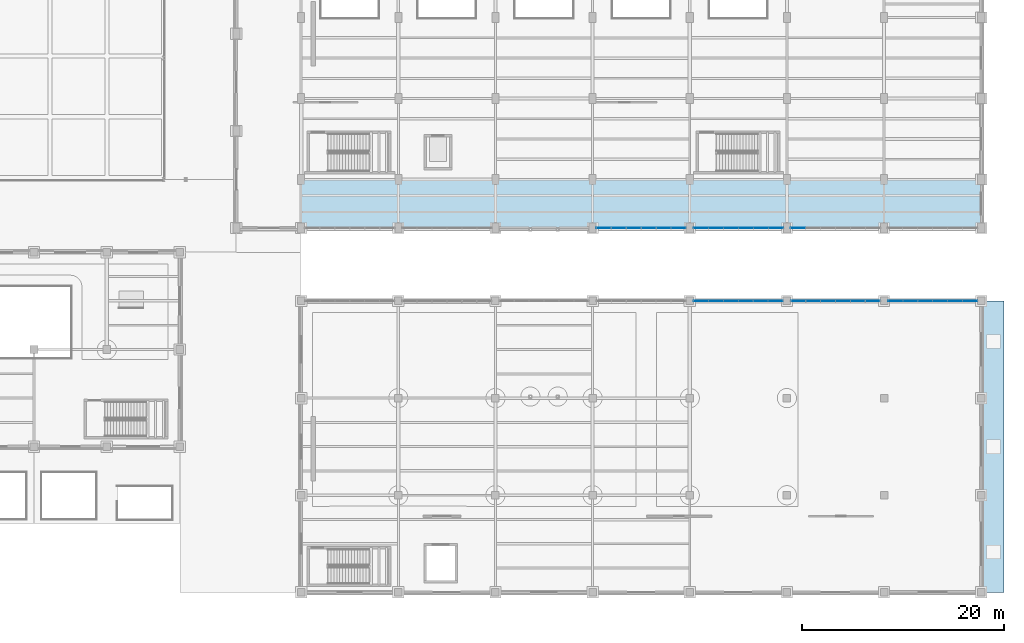
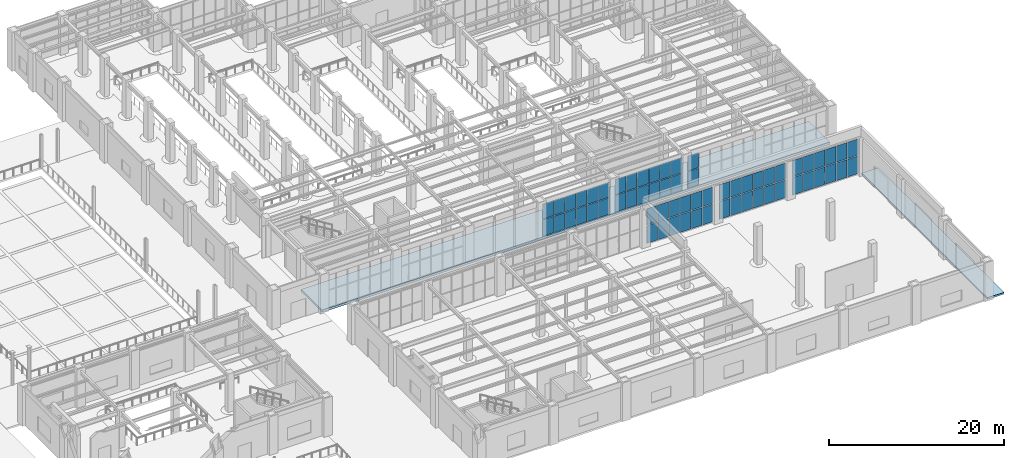
# One storey, part 123 of 164: 62 plates, 2 slabs, 6 elements without a shape of their own.
"""IFC4 building model written with IfcOpenShell, lengths in metres."""

from ifc_helpers import new_model, si_unit, direction, frame, origin, origin_2d, place, context, subcontext, project, spatial, polyline, rectangle, outline, extrude, material, layer, layer_set, type_object, element, aggregate, save


model = new_model("IFC4")

# Units and contexts
model_context = context("Model", 3, precision=1e-05, world=origin(), true_north=direction((0.0, 1.0)))
body_context = subcontext(model_context, "Body", "Model", "MODEL_VIEW")
ifc_project = project(units=[si_unit("LENGTHUNIT", "METRE"), si_unit("AREAUNIT", "SQUARE_METRE"), si_unit("VOLUMEUNIT", "CUBIC_METRE"), si_unit("PLANEANGLEUNIT", "RADIAN"), si_unit("MASSUNIT", "GRAM", prefix="KILO")], contexts=[model_context])

# Site, building, storey
site_placement = place(None, origin())
site = spatial("IfcSite", under=ifc_project, at=site_placement, CompositionType="ELEMENT")
building_placement = place(site_placement, origin())
building = spatial("IfcBuilding", under=site, at=building_placement, Name="Mavantir Sound Aquarium", CompositionType="ELEMENT")
storey_placement = place(building_placement, origin())
storey = spatial("IfcBuildingStorey", under=building, at=storey_placement, Name="L00", CompositionType="ELEMENT", Elevation=0.0)

# Curtain wall, plates
ifc_material_1 = material(Name="Anodised Marine Aluminium and Low-E Glass", Category="aluminium")
curtain_wall_type_1 = type_object("IfcCurtainWallType", Name="CW-T23", PredefinedType="USERDEFINED", material=ifc_material_1)
curtain_wall_1_placement = place(storey_placement, origin())
curtain_wall_1 = element("IfcCurtainWall", 1, at=curtain_wall_1_placement, inside=storey, type_object=curtain_wall_type_1, Name="L00 unitised curtain wall CW-23 23", ObjectType="UNITISED GLAZING", PredefinedType="USERDEFINED")
ifc_material_2 = material(Name="Solar-Control Laminated Low-E Glass", Category="glass")
ifc_layer_1 = layer(ifc_material_2, 0.028076171875, Name="Solar-Control Laminated Low-E Glass")
ifc_layer_set_1 = layer_set([ifc_layer_1], Name="Solar-Control Laminated Low-E Glass")
plate_type_1 = type_object("IfcPlateType", Name="CW-PNL-28", PredefinedType="CURTAIN_PANEL", material=ifc_layer_set_1)
plate_1_placement = place(storey_placement, frame((147.498291015625, 36.0, 0.10302734375), z_axis=(0.0, 0.0, 1.0), x_axis=(1.0, 0.0, 0.0)))
plate_1 = element("IfcPlate", 2, at=plate_1_placement, type_object=plate_type_1, Name="CW-L00-023 glazed curtain panel 1.1", PredefinedType="CURTAIN_PANEL", context=body_context, shape_type="SweptSolid", body=[
    extrude(rectangle(XDim=1.4326171875, YDim=0.028076171875, at=origin_2d()), origin(), (0.0, 0.0, 1.0), 2.3623046875),
])
plate_2_placement = place(storey_placement, frame((147.498291015625, 36.0, 2.56103515625), z_axis=(0.0, 0.0, 1.0), x_axis=(1.0, 0.0, 0.0)))
plate_2 = element("IfcPlate", 3, at=plate_2_placement, type_object=plate_type_1, Name="CW-L00-023 glazed curtain panel 1.2", PredefinedType="CURTAIN_PANEL", context=body_context, shape_type="SweptSolid", body=[
    extrude(rectangle(XDim=1.4326171875, YDim=0.028076171875, at=origin_2d()), origin(), (0.0, 0.0, 1.0), 2.168701171875),
])
plate_3_placement = place(storey_placement, frame((148.97900390625, 36.0, 0.10302734375), z_axis=(0.0, 0.0, 1.0), x_axis=(1.0, 0.0, 0.0)))
plate_3 = element("IfcPlate", 4, at=plate_3_placement, type_object=plate_type_1, Name="CW-L00-023 glazed curtain panel 2.1", PredefinedType="CURTAIN_PANEL", context=body_context, shape_type="SweptSolid", body=[
    extrude(rectangle(XDim=1.4326171875, YDim=0.028076171875, at=origin_2d()), origin(), (0.0, 0.0, 1.0), 2.3623046875),
])
plate_4_placement = place(storey_placement, frame((148.97900390625, 36.0, 2.56103515625), z_axis=(0.0, 0.0, 1.0), x_axis=(1.0, 0.0, 0.0)))
plate_4 = element("IfcPlate", 5, at=plate_4_placement, type_object=plate_type_1, Name="CW-L00-023 glazed curtain panel 2.2", PredefinedType="CURTAIN_PANEL", context=body_context, shape_type="SweptSolid", body=[
    extrude(rectangle(XDim=1.4326171875, YDim=0.028076171875, at=origin_2d()), origin(), (0.0, 0.0, 1.0), 2.168701171875),
])
plate_5_placement = place(storey_placement, frame((150.459716796875, 36.0, 0.10302734375), z_axis=(0.0, 0.0, 1.0), x_axis=(1.0, 0.0, 0.0)))
plate_5 = element("IfcPlate", 6, at=plate_5_placement, type_object=plate_type_1, Name="CW-L00-023 glazed curtain panel 3.1", PredefinedType="CURTAIN_PANEL", context=body_context, shape_type="SweptSolid", body=[
    extrude(rectangle(XDim=1.4326171875, YDim=0.028076171875, at=origin_2d()), origin(), (0.0, 0.0, 1.0), 2.3623046875),
])
plate_6_placement = place(storey_placement, frame((150.459716796875, 36.0, 2.56103515625), z_axis=(0.0, 0.0, 1.0), x_axis=(1.0, 0.0, 0.0)))
plate_6 = element("IfcPlate", 7, at=plate_6_placement, type_object=plate_type_1, Name="CW-L00-023 glazed curtain panel 3.2", PredefinedType="CURTAIN_PANEL", context=body_context, shape_type="SweptSolid", body=[
    extrude(rectangle(XDim=1.4326171875, YDim=0.028076171875, at=origin_2d()), origin(), (0.0, 0.0, 1.0), 2.168701171875),
])
plate_7_placement = place(storey_placement, frame((151.940185546875, 36.0, 0.10302734375), z_axis=(0.0, 0.0, 1.0), x_axis=(1.0, 0.0, 0.0)))
plate_7 = element("IfcPlate", 8, at=plate_7_placement, type_object=plate_type_1, Name="CW-L00-023 glazed curtain panel 4.1", PredefinedType="CURTAIN_PANEL", context=body_context, shape_type="SweptSolid", body=[
    extrude(rectangle(XDim=1.4326171875, YDim=0.028076171875, at=origin_2d()), origin(), (0.0, 0.0, 1.0), 2.3623046875),
])
plate_8_placement = place(storey_placement, frame((151.940185546875, 36.0, 2.56103515625), z_axis=(0.0, 0.0, 1.0), x_axis=(1.0, 0.0, 0.0)))
plate_8 = element("IfcPlate", 9, at=plate_8_placement, type_object=plate_type_1, Name="CW-L00-023 glazed curtain panel 4.2", PredefinedType="CURTAIN_PANEL", context=body_context, shape_type="SweptSolid", body=[
    extrude(rectangle(XDim=1.4326171875, YDim=0.028076171875, at=origin_2d()), origin(), (0.0, 0.0, 1.0), 2.168701171875),
])
plate_9_placement = place(storey_placement, frame((153.4208984375, 36.0, 0.10302734375), z_axis=(0.0, 0.0, 1.0), x_axis=(1.0, 0.0, 0.0)))
plate_9 = element("IfcPlate", 10, at=plate_9_placement, type_object=plate_type_1, Name="CW-L00-023 glazed curtain panel 5.1", PredefinedType="CURTAIN_PANEL", context=body_context, shape_type="SweptSolid", body=[
    extrude(rectangle(XDim=1.4326171875, YDim=0.028076171875, at=origin_2d()), origin(), (0.0, 0.0, 1.0), 2.3623046875),
])
plate_10_placement = place(storey_placement, frame((153.4208984375, 36.0, 2.56103515625), z_axis=(0.0, 0.0, 1.0), x_axis=(1.0, 0.0, 0.0)))
plate_10 = element("IfcPlate", 11, at=plate_10_placement, type_object=plate_type_1, Name="CW-L00-023 glazed curtain panel 5.2", PredefinedType="CURTAIN_PANEL", context=body_context, shape_type="SweptSolid", body=[
    extrude(rectangle(XDim=1.4326171875, YDim=0.028076171875, at=origin_2d()), origin(), (0.0, 0.0, 1.0), 2.168701171875),
])
plate_11_placement = place(storey_placement, frame((154.901611328125, 36.0, 0.10302734375), z_axis=(0.0, 0.0, 1.0), x_axis=(1.0, 0.0, 0.0)))
plate_11 = element("IfcPlate", 12, at=plate_11_placement, type_object=plate_type_1, Name="CW-L00-023 glazed curtain panel 6.1", PredefinedType="CURTAIN_PANEL", context=body_context, shape_type="SweptSolid", body=[
    extrude(rectangle(XDim=1.4326171875, YDim=0.028076171875, at=origin_2d()), origin(), (0.0, 0.0, 1.0), 2.3623046875),
])
plate_12_placement = place(storey_placement, frame((154.901611328125, 36.0, 2.56103515625), z_axis=(0.0, 0.0, 1.0), x_axis=(1.0, 0.0, 0.0)))
plate_12 = element("IfcPlate", 13, at=plate_12_placement, type_object=plate_type_1, Name="CW-L00-023 glazed curtain panel 6.2", PredefinedType="CURTAIN_PANEL", context=body_context, shape_type="SweptSolid", body=[
    extrude(rectangle(XDim=1.4326171875, YDim=0.028076171875, at=origin_2d()), origin(), (0.0, 0.0, 1.0), 2.168701171875),
])
aggregate(curtain_wall_1, [plate_1, plate_2, plate_3, plate_4, plate_5, plate_6, plate_7, plate_8, plate_9, plate_10, plate_11, plate_12])

curtain_wall_2_placement = place(storey_placement, origin())
curtain_wall_2 = element("IfcCurtainWall", 14, at=curtain_wall_2_placement, inside=storey, type_object=curtain_wall_type_1, Name="L00 unitised curtain wall CW-23 47", ObjectType="UNITISED GLAZING", PredefinedType="USERDEFINED")
plate_13_placement = place(storey_placement, frame((174.080810546875, 28.800048828125, 0.10302734375), z_axis=(0.0, 0.0, 1.0), x_axis=(-1.0, 0.0, 0.0)))
plate_13 = element("IfcPlate", 15, at=plate_13_placement, type_object=plate_type_1, Name="CW-L00-047 glazed curtain panel 1.1", PredefinedType="CURTAIN_PANEL", context=body_context, shape_type="SweptSolid", body=[
    extrude(rectangle(XDim=1.42431640625, YDim=0.028076171875, at=origin_2d()), origin(), (0.0, 0.0, 1.0), 2.480224609375),
])
plate_14_placement = place(storey_placement, frame((174.080810546875, 28.800048828125, 2.67919921875), z_axis=(0.0, 0.0, 1.0), x_axis=(-1.0, 0.0, 0.0)))
plate_14 = element("IfcPlate", 16, at=plate_14_placement, type_object=plate_type_1, Name="CW-L00-047 glazed curtain panel 1.2", PredefinedType="CURTAIN_PANEL", context=body_context, shape_type="SweptSolid", body=[
    extrude(rectangle(XDim=1.42431640625, YDim=0.028076171875, at=origin_2d()), origin(), (0.0, 0.0, 1.0), 2.27783203125),
])
plate_15_placement = place(storey_placement, frame((172.6083984375, 28.800048828125, 0.10302734375), z_axis=(0.0, 0.0, 1.0), x_axis=(-1.0, 0.0, 0.0)))
plate_15 = element("IfcPlate", 17, at=plate_15_placement, type_object=plate_type_1, Name="CW-L00-047 glazed curtain panel 2.1", PredefinedType="CURTAIN_PANEL", context=body_context, shape_type="SweptSolid", body=[
    extrude(rectangle(XDim=1.42431640625, YDim=0.028076171875, at=origin_2d()), origin(), (0.0, 0.0, 1.0), 2.480224609375),
])
plate_16_placement = place(storey_placement, frame((172.6083984375, 28.800048828125, 2.67919921875), z_axis=(0.0, 0.0, 1.0), x_axis=(-1.0, 0.0, 0.0)))
plate_16 = element("IfcPlate", 18, at=plate_16_placement, type_object=plate_type_1, Name="CW-L00-047 glazed curtain panel 2.2", PredefinedType="CURTAIN_PANEL", context=body_context, shape_type="SweptSolid", body=[
    extrude(rectangle(XDim=1.42431640625, YDim=0.028076171875, at=origin_2d()), origin(), (0.0, 0.0, 1.0), 2.27783203125),
])
plate_17_placement = place(storey_placement, frame((171.13623046875, 28.800048828125, 0.10302734375), z_axis=(0.0, 0.0, 1.0), x_axis=(-1.0, 0.0, 0.0)))
plate_17 = element("IfcPlate", 19, at=plate_17_placement, type_object=plate_type_1, Name="CW-L00-047 glazed curtain panel 3.1", PredefinedType="CURTAIN_PANEL", context=body_context, shape_type="SweptSolid", body=[
    extrude(rectangle(XDim=1.42431640625, YDim=0.028076171875, at=origin_2d()), origin(), (0.0, 0.0, 1.0), 2.480224609375),
])
plate_18_placement = place(storey_placement, frame((171.13623046875, 28.800048828125, 2.67919921875), z_axis=(0.0, 0.0, 1.0), x_axis=(-1.0, 0.0, 0.0)))
plate_18 = element("IfcPlate", 20, at=plate_18_placement, type_object=plate_type_1, Name="CW-L00-047 glazed curtain panel 3.2", PredefinedType="CURTAIN_PANEL", context=body_context, shape_type="SweptSolid", body=[
    extrude(rectangle(XDim=1.42431640625, YDim=0.028076171875, at=origin_2d()), origin(), (0.0, 0.0, 1.0), 2.27783203125),
])
plate_19_placement = place(storey_placement, frame((169.663818359375, 28.800048828125, 0.10302734375), z_axis=(0.0, 0.0, 1.0), x_axis=(-1.0, 0.0, 0.0)))
plate_19 = element("IfcPlate", 21, at=plate_19_placement, type_object=plate_type_1, Name="CW-L00-047 glazed curtain panel 4.1", PredefinedType="CURTAIN_PANEL", context=body_context, shape_type="SweptSolid", body=[
    extrude(rectangle(XDim=1.42431640625, YDim=0.028076171875, at=origin_2d()), origin(), (0.0, 0.0, 1.0), 2.480224609375),
])
plate_20_placement = place(storey_placement, frame((169.663818359375, 28.800048828125, 2.67919921875), z_axis=(0.0, 0.0, 1.0), x_axis=(-1.0, 0.0, 0.0)))
plate_20 = element("IfcPlate", 22, at=plate_20_placement, type_object=plate_type_1, Name="CW-L00-047 glazed curtain panel 4.2", PredefinedType="CURTAIN_PANEL", context=body_context, shape_type="SweptSolid", body=[
    extrude(rectangle(XDim=1.42431640625, YDim=0.028076171875, at=origin_2d()), origin(), (0.0, 0.0, 1.0), 2.27783203125),
])
plate_21_placement = place(storey_placement, frame((168.19140625, 28.800048828125, 0.10302734375), z_axis=(0.0, 0.0, 1.0), x_axis=(-1.0, 0.0, 0.0)))
plate_21 = element("IfcPlate", 23, at=plate_21_placement, type_object=plate_type_1, Name="CW-L00-047 glazed curtain panel 5.1", PredefinedType="CURTAIN_PANEL", context=body_context, shape_type="SweptSolid", body=[
    extrude(rectangle(XDim=1.42431640625, YDim=0.028076171875, at=origin_2d()), origin(), (0.0, 0.0, 1.0), 2.480224609375),
])
plate_22_placement = place(storey_placement, frame((168.19140625, 28.800048828125, 2.67919921875), z_axis=(0.0, 0.0, 1.0), x_axis=(-1.0, 0.0, 0.0)))
plate_22 = element("IfcPlate", 24, at=plate_22_placement, type_object=plate_type_1, Name="CW-L00-047 glazed curtain panel 5.2", PredefinedType="CURTAIN_PANEL", context=body_context, shape_type="SweptSolid", body=[
    extrude(rectangle(XDim=1.42431640625, YDim=0.028076171875, at=origin_2d()), origin(), (0.0, 0.0, 1.0), 2.27783203125),
])
plate_23_placement = place(storey_placement, frame((166.71923828125, 28.800048828125, 0.10302734375), z_axis=(0.0, 0.0, 1.0), x_axis=(-1.0, 0.0, 0.0)))
plate_23 = element("IfcPlate", 25, at=plate_23_placement, type_object=plate_type_1, Name="CW-L00-047 glazed curtain panel 6.1", PredefinedType="CURTAIN_PANEL", context=body_context, shape_type="SweptSolid", body=[
    extrude(rectangle(XDim=1.42431640625, YDim=0.028076171875, at=origin_2d()), origin(), (0.0, 0.0, 1.0), 2.480224609375),
])
plate_24_placement = place(storey_placement, frame((166.71923828125, 28.800048828125, 2.67919921875), z_axis=(0.0, 0.0, 1.0), x_axis=(-1.0, 0.0, 0.0)))
plate_24 = element("IfcPlate", 26, at=plate_24_placement, type_object=plate_type_1, Name="CW-L00-047 glazed curtain panel 6.2", PredefinedType="CURTAIN_PANEL", context=body_context, shape_type="SweptSolid", body=[
    extrude(rectangle(XDim=1.42431640625, YDim=0.028076171875, at=origin_2d()), origin(), (0.0, 0.0, 1.0), 2.27783203125),
])
aggregate(curtain_wall_2, [plate_13, plate_14, plate_15, plate_16, plate_17, plate_18, plate_19, plate_20, plate_21, plate_22, plate_23, plate_24])

curtain_wall_type_2 = type_object("IfcCurtainWallType", Name="CW-T01", PredefinedType="USERDEFINED", material=ifc_material_1)
curtain_wall_3_placement = place(storey_placement, origin())
curtain_wall_3 = element("IfcCurtainWall", 27, at=curtain_wall_3_placement, inside=storey, type_object=curtain_wall_type_2, Name="L00 unitised curtain wall CW-01 49", ObjectType="UNITISED GLAZING", PredefinedType="USERDEFINED")
plate_25_placement = place(storey_placement, frame((154.880859375, 28.800048828125, 0.10302734375), z_axis=(0.0, 0.0, 1.0), x_axis=(-1.0, 0.0, 0.0)))
plate_25 = element("IfcPlate", 28, at=plate_25_placement, type_object=plate_type_1, Name="CW-L00-049 glazed curtain panel 1.1", PredefinedType="CURTAIN_PANEL", context=body_context, shape_type="SweptSolid", body=[
    extrude(rectangle(XDim=1.42431640625, YDim=0.028076171875, at=origin_2d()), origin(), (0.0, 0.0, 1.0), 2.480224609375),
])
plate_26_placement = place(storey_placement, frame((154.880859375, 28.800048828125, 2.67919921875), z_axis=(0.0, 0.0, 1.0), x_axis=(-1.0, 0.0, 0.0)))
plate_26 = element("IfcPlate", 29, at=plate_26_placement, type_object=plate_type_1, Name="CW-L00-049 glazed curtain panel 1.2", PredefinedType="CURTAIN_PANEL", context=body_context, shape_type="SweptSolid", body=[
    extrude(rectangle(XDim=1.42431640625, YDim=0.028076171875, at=origin_2d()), origin(), (0.0, 0.0, 1.0), 2.27783203125),
])
plate_27_placement = place(storey_placement, frame((153.408447265625, 28.800048828125, 0.10302734375), z_axis=(0.0, 0.0, 1.0), x_axis=(-1.0, 0.0, 0.0)))
plate_27 = element("IfcPlate", 30, at=plate_27_placement, type_object=plate_type_1, Name="CW-L00-049 glazed curtain panel 2.1", PredefinedType="CURTAIN_PANEL", context=body_context, shape_type="SweptSolid", body=[
    extrude(rectangle(XDim=1.42431640625, YDim=0.028076171875, at=origin_2d()), origin(), (0.0, 0.0, 1.0), 2.480224609375),
])
plate_28_placement = place(storey_placement, frame((153.408447265625, 28.800048828125, 2.67919921875), z_axis=(0.0, 0.0, 1.0), x_axis=(-1.0, 0.0, 0.0)))
plate_28 = element("IfcPlate", 31, at=plate_28_placement, type_object=plate_type_1, Name="CW-L00-049 glazed curtain panel 2.2", PredefinedType="CURTAIN_PANEL", context=body_context, shape_type="SweptSolid", body=[
    extrude(rectangle(XDim=1.42431640625, YDim=0.028076171875, at=origin_2d()), origin(), (0.0, 0.0, 1.0), 2.27783203125),
])
plate_29_placement = place(storey_placement, frame((151.936279296875, 28.800048828125, 0.10302734375), z_axis=(0.0, 0.0, 1.0), x_axis=(-1.0, 0.0, 0.0)))
plate_29 = element("IfcPlate", 32, at=plate_29_placement, type_object=plate_type_1, Name="CW-L00-049 glazed curtain panel 3.1", PredefinedType="CURTAIN_PANEL", context=body_context, shape_type="SweptSolid", body=[
    extrude(rectangle(XDim=1.42431640625, YDim=0.028076171875, at=origin_2d()), origin(), (0.0, 0.0, 1.0), 2.480224609375),
])
plate_30_placement = place(storey_placement, frame((151.936279296875, 28.800048828125, 2.67919921875), z_axis=(0.0, 0.0, 1.0), x_axis=(-1.0, 0.0, 0.0)))
plate_30 = element("IfcPlate", 33, at=plate_30_placement, type_object=plate_type_1, Name="CW-L00-049 glazed curtain panel 3.2", PredefinedType="CURTAIN_PANEL", context=body_context, shape_type="SweptSolid", body=[
    extrude(rectangle(XDim=1.42431640625, YDim=0.028076171875, at=origin_2d()), origin(), (0.0, 0.0, 1.0), 2.27783203125),
])
plate_31_placement = place(storey_placement, frame((150.4638671875, 28.800048828125, 0.10302734375), z_axis=(0.0, 0.0, 1.0), x_axis=(-1.0, 0.0, 0.0)))
plate_31 = element("IfcPlate", 34, at=plate_31_placement, type_object=plate_type_1, Name="CW-L00-049 glazed curtain panel 4.1", PredefinedType="CURTAIN_PANEL", context=body_context, shape_type="SweptSolid", body=[
    extrude(rectangle(XDim=1.42431640625, YDim=0.028076171875, at=origin_2d()), origin(), (0.0, 0.0, 1.0), 2.480224609375),
])
plate_32_placement = place(storey_placement, frame((150.4638671875, 28.800048828125, 2.67919921875), z_axis=(0.0, 0.0, 1.0), x_axis=(-1.0, 0.0, 0.0)))
plate_32 = element("IfcPlate", 35, at=plate_32_placement, type_object=plate_type_1, Name="CW-L00-049 glazed curtain panel 4.2", PredefinedType="CURTAIN_PANEL", context=body_context, shape_type="SweptSolid", body=[
    extrude(rectangle(XDim=1.42431640625, YDim=0.028076171875, at=origin_2d()), origin(), (0.0, 0.0, 1.0), 2.27783203125),
])
plate_33_placement = place(storey_placement, frame((148.991455078125, 28.800048828125, 0.10302734375), z_axis=(0.0, 0.0, 1.0), x_axis=(-1.0, 0.0, 0.0)))
plate_33 = element("IfcPlate", 36, at=plate_33_placement, type_object=plate_type_1, Name="CW-L00-049 glazed curtain panel 5.1", PredefinedType="CURTAIN_PANEL", context=body_context, shape_type="SweptSolid", body=[
    extrude(rectangle(XDim=1.42431640625, YDim=0.028076171875, at=origin_2d()), origin(), (0.0, 0.0, 1.0), 2.480224609375),
])
plate_34_placement = place(storey_placement, frame((148.991455078125, 28.800048828125, 2.67919921875), z_axis=(0.0, 0.0, 1.0), x_axis=(-1.0, 0.0, 0.0)))
plate_34 = element("IfcPlate", 37, at=plate_34_placement, type_object=plate_type_1, Name="CW-L00-049 glazed curtain panel 5.2", PredefinedType="CURTAIN_PANEL", context=body_context, shape_type="SweptSolid", body=[
    extrude(rectangle(XDim=1.42431640625, YDim=0.028076171875, at=origin_2d()), origin(), (0.0, 0.0, 1.0), 2.27783203125),
])
plate_35_placement = place(storey_placement, frame((147.519287109375, 28.800048828125, 0.10302734375), z_axis=(0.0, 0.0, 1.0), x_axis=(-1.0, 0.0, 0.0)))
plate_35 = element("IfcPlate", 38, at=plate_35_placement, type_object=plate_type_1, Name="CW-L00-049 glazed curtain panel 6.1", PredefinedType="CURTAIN_PANEL", context=body_context, shape_type="SweptSolid", body=[
    extrude(rectangle(XDim=1.42431640625, YDim=0.028076171875, at=origin_2d()), origin(), (0.0, 0.0, 1.0), 2.480224609375),
])
plate_36_placement = place(storey_placement, frame((147.519287109375, 28.800048828125, 2.67919921875), z_axis=(0.0, 0.0, 1.0), x_axis=(-1.0, 0.0, 0.0)))
plate_36 = element("IfcPlate", 39, at=plate_36_placement, type_object=plate_type_1, Name="CW-L00-049 glazed curtain panel 6.2", PredefinedType="CURTAIN_PANEL", context=body_context, shape_type="SweptSolid", body=[
    extrude(rectangle(XDim=1.42431640625, YDim=0.028076171875, at=origin_2d()), origin(), (0.0, 0.0, 1.0), 2.27783203125),
])
aggregate(curtain_wall_3, [plate_25, plate_26, plate_27, plate_28, plate_29, plate_30, plate_31, plate_32, plate_33, plate_34, plate_35, plate_36])

curtain_wall_type_3 = type_object("IfcCurtainWallType", Name="CW-T22", PredefinedType="USERDEFINED", material=ifc_material_1)
curtain_wall_4_placement = place(storey_placement, origin())
curtain_wall_4 = element("IfcCurtainWall", 40, at=curtain_wall_4_placement, inside=storey, type_object=curtain_wall_type_3, Name="L00 unitised curtain wall CW-22 22", ObjectType="UNITISED GLAZING", PredefinedType="USERDEFINED")
ifc_layer_2 = layer(ifc_material_2, 0.031982421875, Name="Solar-Control Laminated Low-E Glass")
ifc_layer_set_2 = layer_set([ifc_layer_2], Name="Solar-Control Laminated Low-E Glass")
plate_type_2 = type_object("IfcPlateType", Name="CW-PNL-32", PredefinedType="CURTAIN_PANEL", material=ifc_layer_set_2)
plate_37_placement = place(storey_placement, frame((137.898193359375, 36.0, 0.10302734375), z_axis=(0.0, 0.0, 1.0), x_axis=(1.0, 0.0, 0.0)))
plate_37 = element("IfcPlate", 41, at=plate_37_placement, type_object=plate_type_2, Name="CW-L00-022 glazed curtain panel 1.1", PredefinedType="CURTAIN_PANEL", context=body_context, shape_type="SweptSolid", body=[
    extrude(rectangle(XDim=1.4326171875, YDim=0.031982421875, at=origin_2d()), origin(), (0.0, 0.0, 1.0), 2.3076171875),
])
plate_38_placement = place(storey_placement, frame((137.898193359375, 36.0, 2.5068359375), z_axis=(0.0, 0.0, 1.0), x_axis=(1.0, 0.0, 0.0)))
plate_38 = element("IfcPlate", 42, at=plate_38_placement, type_object=plate_type_2, Name="CW-L00-022 glazed curtain panel 1.2", PredefinedType="CURTAIN_PANEL", context=body_context, shape_type="SweptSolid", body=[
    extrude(rectangle(XDim=1.4326171875, YDim=0.031982421875, at=origin_2d()), origin(), (0.0, 0.0, 1.0), 2.118408203125),
])
plate_39_placement = place(storey_placement, frame((139.37890625, 36.0, 0.10302734375), z_axis=(0.0, 0.0, 1.0), x_axis=(1.0, 0.0, 0.0)))
plate_39 = element("IfcPlate", 43, at=plate_39_placement, type_object=plate_type_2, Name="CW-L00-022 glazed curtain panel 2.1", PredefinedType="CURTAIN_PANEL", context=body_context, shape_type="SweptSolid", body=[
    extrude(rectangle(XDim=1.4326171875, YDim=0.031982421875, at=origin_2d()), origin(), (0.0, 0.0, 1.0), 2.3076171875),
])
plate_40_placement = place(storey_placement, frame((139.37890625, 36.0, 2.5068359375), z_axis=(0.0, 0.0, 1.0), x_axis=(1.0, 0.0, 0.0)))
plate_40 = element("IfcPlate", 44, at=plate_40_placement, type_object=plate_type_2, Name="CW-L00-022 glazed curtain panel 2.2", PredefinedType="CURTAIN_PANEL", context=body_context, shape_type="SweptSolid", body=[
    extrude(rectangle(XDim=1.4326171875, YDim=0.031982421875, at=origin_2d()), origin(), (0.0, 0.0, 1.0), 2.118408203125),
])
plate_41_placement = place(storey_placement, frame((140.859619140625, 36.0, 0.10302734375), z_axis=(0.0, 0.0, 1.0), x_axis=(1.0, 0.0, 0.0)))
plate_41 = element("IfcPlate", 45, at=plate_41_placement, type_object=plate_type_2, Name="CW-L00-022 glazed curtain panel 3.1", PredefinedType="CURTAIN_PANEL", context=body_context, shape_type="SweptSolid", body=[
    extrude(rectangle(XDim=1.4326171875, YDim=0.031982421875, at=origin_2d()), origin(), (0.0, 0.0, 1.0), 2.3076171875),
])
plate_42_placement = place(storey_placement, frame((140.859619140625, 36.0, 2.5068359375), z_axis=(0.0, 0.0, 1.0), x_axis=(1.0, 0.0, 0.0)))
plate_42 = element("IfcPlate", 46, at=plate_42_placement, type_object=plate_type_2, Name="CW-L00-022 glazed curtain panel 3.2", PredefinedType="CURTAIN_PANEL", context=body_context, shape_type="SweptSolid", body=[
    extrude(rectangle(XDim=1.4326171875, YDim=0.031982421875, at=origin_2d()), origin(), (0.0, 0.0, 1.0), 2.118408203125),
])
plate_43_placement = place(storey_placement, frame((142.34033203125, 36.0, 0.10302734375), z_axis=(0.0, 0.0, 1.0), x_axis=(1.0, 0.0, 0.0)))
plate_43 = element("IfcPlate", 47, at=plate_43_placement, type_object=plate_type_2, Name="CW-L00-022 glazed curtain panel 4.1", PredefinedType="CURTAIN_PANEL", context=body_context, shape_type="SweptSolid", body=[
    extrude(rectangle(XDim=1.4326171875, YDim=0.031982421875, at=origin_2d()), origin(), (0.0, 0.0, 1.0), 2.3076171875),
])
plate_44_placement = place(storey_placement, frame((142.34033203125, 36.0, 2.5068359375), z_axis=(0.0, 0.0, 1.0), x_axis=(1.0, 0.0, 0.0)))
plate_44 = element("IfcPlate", 48, at=plate_44_placement, type_object=plate_type_2, Name="CW-L00-022 glazed curtain panel 4.2", PredefinedType="CURTAIN_PANEL", context=body_context, shape_type="SweptSolid", body=[
    extrude(rectangle(XDim=1.4326171875, YDim=0.031982421875, at=origin_2d()), origin(), (0.0, 0.0, 1.0), 2.118408203125),
])
plate_45_placement = place(storey_placement, frame((143.821044921875, 36.0, 0.10302734375), z_axis=(0.0, 0.0, 1.0), x_axis=(1.0, 0.0, 0.0)))
plate_45 = element("IfcPlate", 49, at=plate_45_placement, type_object=plate_type_2, Name="CW-L00-022 glazed curtain panel 5.1", PredefinedType="CURTAIN_PANEL", context=body_context, shape_type="SweptSolid", body=[
    extrude(rectangle(XDim=1.4326171875, YDim=0.031982421875, at=origin_2d()), origin(), (0.0, 0.0, 1.0), 2.3076171875),
])
plate_46_placement = place(storey_placement, frame((143.821044921875, 36.0, 2.5068359375), z_axis=(0.0, 0.0, 1.0), x_axis=(1.0, 0.0, 0.0)))
plate_46 = element("IfcPlate", 50, at=plate_46_placement, type_object=plate_type_2, Name="CW-L00-022 glazed curtain panel 5.2", PredefinedType="CURTAIN_PANEL", context=body_context, shape_type="SweptSolid", body=[
    extrude(rectangle(XDim=1.4326171875, YDim=0.031982421875, at=origin_2d()), origin(), (0.0, 0.0, 1.0), 2.118408203125),
])
plate_47_placement = place(storey_placement, frame((145.3017578125, 36.0, 0.10302734375), z_axis=(0.0, 0.0, 1.0), x_axis=(1.0, 0.0, 0.0)))
plate_47 = element("IfcPlate", 51, at=plate_47_placement, type_object=plate_type_2, Name="CW-L00-022 glazed curtain panel 6.1", PredefinedType="CURTAIN_PANEL", context=body_context, shape_type="SweptSolid", body=[
    extrude(rectangle(XDim=1.4326171875, YDim=0.031982421875, at=origin_2d()), origin(), (0.0, 0.0, 1.0), 2.3076171875),
])
plate_48_placement = place(storey_placement, frame((145.3017578125, 36.0, 2.5068359375), z_axis=(0.0, 0.0, 1.0), x_axis=(1.0, 0.0, 0.0)))
plate_48 = element("IfcPlate", 52, at=plate_48_placement, type_object=plate_type_2, Name="CW-L00-022 glazed curtain panel 6.2", PredefinedType="CURTAIN_PANEL", context=body_context, shape_type="SweptSolid", body=[
    extrude(rectangle(XDim=1.4326171875, YDim=0.031982421875, at=origin_2d()), origin(), (0.0, 0.0, 1.0), 2.118408203125),
])
aggregate(curtain_wall_4, [plate_37, plate_38, plate_39, plate_40, plate_41, plate_42, plate_43, plate_44, plate_45, plate_46, plate_47, plate_48])

curtain_wall_type_4 = type_object("IfcCurtainWallType", Name="CW-T24", PredefinedType="USERDEFINED", material=ifc_material_1)
curtain_wall_5_placement = place(storey_placement, origin())
curtain_wall_5 = element("IfcCurtainWall", 53, at=curtain_wall_5_placement, inside=storey, type_object=curtain_wall_type_4, Name="L00 unitised curtain wall CW-24 24", ObjectType="UNITISED GLAZING", PredefinedType="USERDEFINED")
plate_49_placement = place(storey_placement, frame((157.098388671875, 36.0, 0.10302734375), z_axis=(0.0, 0.0, 1.0), x_axis=(1.0, 0.0, 0.0)))
plate_49 = element("IfcPlate", 54, at=plate_49_placement, type_object=plate_type_2, Name="CW-L00-024 glazed curtain panel 1.1", PredefinedType="CURTAIN_PANEL", context=body_context, shape_type="SweptSolid", body=[
    extrude(rectangle(XDim=1.4326171875, YDim=0.031982421875, at=origin_2d()), origin(), (0.0, 0.0, 1.0), 2.3076171875),
])
plate_50_placement = place(storey_placement, frame((157.098388671875, 36.0, 2.5068359375), z_axis=(0.0, 0.0, 1.0), x_axis=(1.0, 0.0, 0.0)))
plate_50 = element("IfcPlate", 55, at=plate_50_placement, type_object=plate_type_2, Name="CW-L00-024 glazed curtain panel 1.2", PredefinedType="CURTAIN_PANEL", context=body_context, shape_type="SweptSolid", body=[
    extrude(rectangle(XDim=1.4326171875, YDim=0.031982421875, at=origin_2d()), origin(), (0.0, 0.0, 1.0), 2.118408203125),
])
aggregate(curtain_wall_5, [plate_49, plate_50])

curtain_wall_6_placement = place(storey_placement, origin())
curtain_wall_6 = element("IfcCurtainWall", 56, at=curtain_wall_6_placement, inside=storey, type_object=curtain_wall_type_4, Name="L00 unitised curtain wall CW-24 48", ObjectType="UNITISED GLAZING", PredefinedType="USERDEFINED")
plate_51_placement = place(storey_placement, frame((164.480712890625, 28.800048828125, 0.10302734375), z_axis=(0.0, 0.0, 1.0), x_axis=(-1.0, 0.0, 0.0)))
plate_51 = element("IfcPlate", 57, at=plate_51_placement, type_object=plate_type_2, Name="CW-L00-048 glazed curtain panel 1.1", PredefinedType="CURTAIN_PANEL", context=body_context, shape_type="SweptSolid", body=[
    extrude(rectangle(XDim=1.42431640625, YDim=0.031982421875, at=origin_2d()), origin(), (0.0, 0.0, 1.0), 2.480224609375),
])
plate_52_placement = place(storey_placement, frame((164.480712890625, 28.800048828125, 2.67919921875), z_axis=(0.0, 0.0, 1.0), x_axis=(-1.0, 0.0, 0.0)))
plate_52 = element("IfcPlate", 58, at=plate_52_placement, type_object=plate_type_2, Name="CW-L00-048 glazed curtain panel 1.2", PredefinedType="CURTAIN_PANEL", context=body_context, shape_type="SweptSolid", body=[
    extrude(rectangle(XDim=1.42431640625, YDim=0.031982421875, at=origin_2d()), origin(), (0.0, 0.0, 1.0), 2.27783203125),
])
plate_53_placement = place(storey_placement, frame((163.008544921875, 28.800048828125, 0.10302734375), z_axis=(0.0, 0.0, 1.0), x_axis=(-1.0, 0.0, 0.0)))
plate_53 = element("IfcPlate", 59, at=plate_53_placement, type_object=plate_type_2, Name="CW-L00-048 glazed curtain panel 2.1", PredefinedType="CURTAIN_PANEL", context=body_context, shape_type="SweptSolid", body=[
    extrude(rectangle(XDim=1.42431640625, YDim=0.031982421875, at=origin_2d()), origin(), (0.0, 0.0, 1.0), 2.480224609375),
])
plate_54_placement = place(storey_placement, frame((163.008544921875, 28.800048828125, 2.67919921875), z_axis=(0.0, 0.0, 1.0), x_axis=(-1.0, 0.0, 0.0)))
plate_54 = element("IfcPlate", 60, at=plate_54_placement, type_object=plate_type_2, Name="CW-L00-048 glazed curtain panel 2.2", PredefinedType="CURTAIN_PANEL", context=body_context, shape_type="SweptSolid", body=[
    extrude(rectangle(XDim=1.42431640625, YDim=0.031982421875, at=origin_2d()), origin(), (0.0, 0.0, 1.0), 2.27783203125),
])
plate_55_placement = place(storey_placement, frame((161.5361328125, 28.800048828125, 0.10302734375), z_axis=(0.0, 0.0, 1.0), x_axis=(-1.0, 0.0, 0.0)))
plate_55 = element("IfcPlate", 61, at=plate_55_placement, type_object=plate_type_2, Name="CW-L00-048 glazed curtain panel 3.1", PredefinedType="CURTAIN_PANEL", context=body_context, shape_type="SweptSolid", body=[
    extrude(rectangle(XDim=1.42431640625, YDim=0.031982421875, at=origin_2d()), origin(), (0.0, 0.0, 1.0), 2.480224609375),
])
plate_56_placement = place(storey_placement, frame((161.5361328125, 28.800048828125, 2.67919921875), z_axis=(0.0, 0.0, 1.0), x_axis=(-1.0, 0.0, 0.0)))
plate_56 = element("IfcPlate", 62, at=plate_56_placement, type_object=plate_type_2, Name="CW-L00-048 glazed curtain panel 3.2", PredefinedType="CURTAIN_PANEL", context=body_context, shape_type="SweptSolid", body=[
    extrude(rectangle(XDim=1.42431640625, YDim=0.031982421875, at=origin_2d()), origin(), (0.0, 0.0, 1.0), 2.27783203125),
])
plate_57_placement = place(storey_placement, frame((160.063720703125, 28.800048828125, 0.10302734375), z_axis=(0.0, 0.0, 1.0), x_axis=(-1.0, 0.0, 0.0)))
plate_57 = element("IfcPlate", 63, at=plate_57_placement, type_object=plate_type_2, Name="CW-L00-048 glazed curtain panel 4.1", PredefinedType="CURTAIN_PANEL", context=body_context, shape_type="SweptSolid", body=[
    extrude(rectangle(XDim=1.42431640625, YDim=0.031982421875, at=origin_2d()), origin(), (0.0, 0.0, 1.0), 2.480224609375),
])
plate_58_placement = place(storey_placement, frame((160.063720703125, 28.800048828125, 2.67919921875), z_axis=(0.0, 0.0, 1.0), x_axis=(-1.0, 0.0, 0.0)))
plate_58 = element("IfcPlate", 64, at=plate_58_placement, type_object=plate_type_2, Name="CW-L00-048 glazed curtain panel 4.2", PredefinedType="CURTAIN_PANEL", context=body_context, shape_type="SweptSolid", body=[
    extrude(rectangle(XDim=1.42431640625, YDim=0.031982421875, at=origin_2d()), origin(), (0.0, 0.0, 1.0), 2.27783203125),
])
plate_59_placement = place(storey_placement, frame((158.591552734375, 28.800048828125, 0.10302734375), z_axis=(0.0, 0.0, 1.0), x_axis=(-1.0, 0.0, 0.0)))
plate_59 = element("IfcPlate", 65, at=plate_59_placement, type_object=plate_type_2, Name="CW-L00-048 glazed curtain panel 5.1", PredefinedType="CURTAIN_PANEL", context=body_context, shape_type="SweptSolid", body=[
    extrude(rectangle(XDim=1.42431640625, YDim=0.031982421875, at=origin_2d()), origin(), (0.0, 0.0, 1.0), 2.480224609375),
])
plate_60_placement = place(storey_placement, frame((158.591552734375, 28.800048828125, 2.67919921875), z_axis=(0.0, 0.0, 1.0), x_axis=(-1.0, 0.0, 0.0)))
plate_60 = element("IfcPlate", 66, at=plate_60_placement, type_object=plate_type_2, Name="CW-L00-048 glazed curtain panel 5.2", PredefinedType="CURTAIN_PANEL", context=body_context, shape_type="SweptSolid", body=[
    extrude(rectangle(XDim=1.42431640625, YDim=0.031982421875, at=origin_2d()), origin(), (0.0, 0.0, 1.0), 2.27783203125),
])
plate_61_placement = place(storey_placement, frame((157.119140625, 28.800048828125, 0.10302734375), z_axis=(0.0, 0.0, 1.0), x_axis=(-1.0, 0.0, 0.0)))
plate_61 = element("IfcPlate", 67, at=plate_61_placement, type_object=plate_type_2, Name="CW-L00-048 glazed curtain panel 6.1", PredefinedType="CURTAIN_PANEL", context=body_context, shape_type="SweptSolid", body=[
    extrude(rectangle(XDim=1.42431640625, YDim=0.031982421875, at=origin_2d()), origin(), (0.0, 0.0, 1.0), 2.480224609375),
])
plate_62_placement = place(storey_placement, frame((157.119140625, 28.800048828125, 2.67919921875), z_axis=(0.0, 0.0, 1.0), x_axis=(-1.0, 0.0, 0.0)))
plate_62 = element("IfcPlate", 68, at=plate_62_placement, type_object=plate_type_2, Name="CW-L00-048 glazed curtain panel 6.2", PredefinedType="CURTAIN_PANEL", context=body_context, shape_type="SweptSolid", body=[
    extrude(rectangle(XDim=1.42431640625, YDim=0.031982421875, at=origin_2d()), origin(), (0.0, 0.0, 1.0), 2.27783203125),
])
aggregate(curtain_wall_6, [plate_51, plate_52, plate_53, plate_54, plate_55, plate_56, plate_57, plate_58, plate_59, plate_60, plate_61, plate_62])

# Slabs
ifc_material_3 = material(Name="Concrete C40/50", Category="concrete")
ifc_layer_3 = layer(ifc_material_3, 0.25, Name="Concrete C40/50")
ifc_layer_set_3 = layer_set([ifc_layer_3], Name="Concrete C40/50")
slab_type_1 = type_object("IfcSlabType", Name="SLB-ES-02", PredefinedType="FLOOR", material=ifc_layer_set_3)
slab_1_placement = place(storey_placement, frame((0.0, 0.0, -0.25)))
element("IfcSlab", 69, at=slab_1_placement, inside=storey, type_object=slab_type_1, Name="L00 outdoor apron slab ES-02", PredefinedType="FLOOR", context=body_context, shape_type="SweptSolid", body=[
    extrude(outline(polyline([(175.25, 0.0), (177.449951171875, 0.0), (177.449951171875, 28.800048828125), (175.25, 28.800048828125), (175.25, 0.0)])), origin(), (0.0, 0.0, 1.0), 0.25),
])
ifc_layer_4 = layer(ifc_material_3, 0.330078125, Name="Concrete C40/50")
ifc_layer_set_4 = layer_set([ifc_layer_4], Name="Concrete C40/50")
slab_type_2 = type_object("IfcSlabType", Name="SLB-FS-05", PredefinedType="FLOOR", material=ifc_layer_set_4)
slab_2_placement = place(storey_placement, frame((0.0, 0.0, -0.330078125)))
element("IfcSlab", 70, at=slab_2_placement, inside=storey, type_object=slab_type_2, Name="L00 structural slab FS-05 (V4)", PredefinedType="FLOOR", context=body_context, shape_type="SweptSolid", body=[
    extrude(outline(polyline([(175.199951171875, 36.0), (175.199951171875, 40.800048828125), (108.0, 40.800048828125), (108.0, 36.0), (175.199951171875, 36.0)])), origin(), (0.0, 0.0, 1.0), 0.330078125),
])

save(model, "model.ifc")
